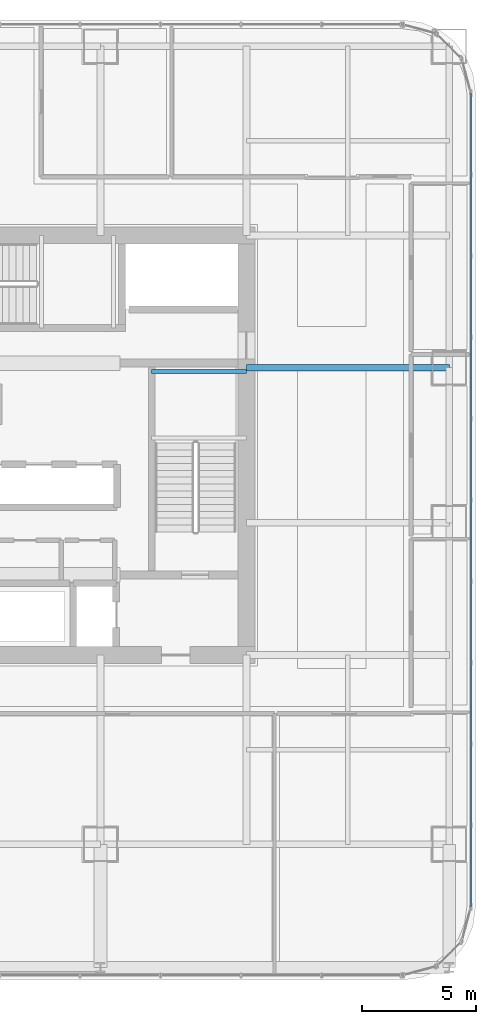
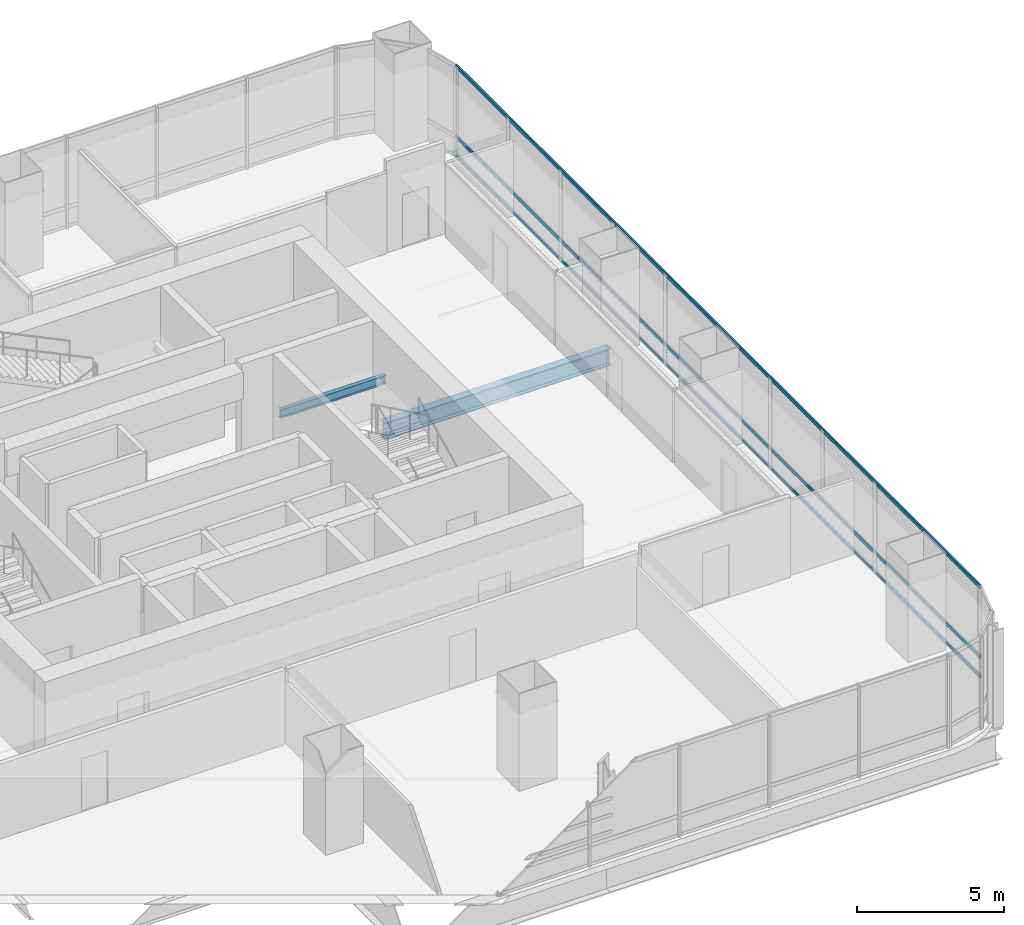
# One storey, part 16 of 36: 3 members, 2 beams, 1 element without a shape of its own.
"""IFC4 building model written with IfcOpenShell, lengths in metres."""

from ifc_helpers import new_model, si_unit, direction, frame, origin, origin_2d, place, context, subcontext, project, spatial, hollow_rectangle, i_section, extrude, material, material_profile, profile_set, type_object, element, aggregate, save


model = new_model("IFC4")

# Units and contexts
model_context = context("Model", 3, precision=1e-05, world=origin(), true_north=direction((0.0, 1.0)))
body_context = subcontext(model_context, "Body", "Model", "MODEL_VIEW")
ifc_project = project(units=[si_unit("LENGTHUNIT", "METRE"), si_unit("AREAUNIT", "SQUARE_METRE"), si_unit("VOLUMEUNIT", "CUBIC_METRE"), si_unit("PLANEANGLEUNIT", "RADIAN"), si_unit("MASSUNIT", "GRAM", prefix="KILO")], contexts=[model_context])

# Site, building, storey
site_placement = place(None, origin())
site = spatial("IfcSite", under=ifc_project, at=site_placement, CompositionType="ELEMENT")
building_placement = place(site_placement, origin())
building = spatial("IfcBuilding", under=site, at=building_placement, Name="Punatoya Terracotta Tower", CompositionType="ELEMENT")
storey_placement = place(building_placement, frame((0.0, 0.0, 32.25)))
storey = spatial("IfcBuildingStorey", under=building, at=storey_placement, Name="L06", CompositionType="ELEMENT", Elevation=32.25)

# Beams
ifc_material_1 = material(Name="Steel S355", Category="steel")
ifc_material_profile_1 = material_profile(ifc_material_1, i_section(OverallWidth=0.300048828125, OverallDepth=0.699951171875, WebThickness=0.01708984375, FlangeThickness=0.031982421875, FilletRadius=0.01806640625, at=origin_2d()))
ifc_profile_set_1 = profile_set([ifc_material_profile_1], Name="Steel S355")
beam_type_1 = type_object("IfcBeamType", Name="BM-PRI-700", PredefinedType="BEAM", material=ifc_profile_set_1)
beam_1_placement = place(storey_placement, frame((10.199951171875, 3.39990234375, -0.590087890625), z_axis=(1.0, 0.0, 0.0), x_axis=(0.0, 1.0, 0.0)))
element("IfcBeam", 1, at=beam_1_placement, inside=storey, type_object=beam_type_1, Name="BM-L06-PR-EE", PredefinedType="BEAM", context=body_context, shape_type="SweptSolid", body=[
    extrude(i_section(OverallWidth=0.300048828125, OverallDepth=0.699951171875, WebThickness=0.01708984375, FlangeThickness=0.031982421875, FilletRadius=0.01806640625, at=origin_2d()), origin(), (0.0, 0.0, 1.0), 8.900146484375),
])
ifc_material_profile_2 = material_profile(ifc_material_1, i_section(OverallWidth=0.169921875, OverallDepth=0.360107421875, WebThickness=0.008056640625, FlangeThickness=0.0126953125, FilletRadius=0.01806640625, at=origin_2d()))
ifc_profile_set_2 = profile_set([ifc_material_profile_2], Name="Steel S355")
beam_type_2 = type_object("IfcBeamType", Name="BM-SEC-360", PredefinedType="JOIST", material=ifc_profile_set_2)
beam_2_placement = place(storey_placement, frame((6.050048828125, 3.22998046875, 1.64501953125), z_axis=(1.0, 0.0, 0.0), x_axis=(0.0, 1.0, 0.0)))
element("IfcBeam", 2, at=beam_2_placement, inside=storey, type_object=beam_type_2, Name="BM-L06-ST-2-LD1B", PredefinedType="JOIST", context=body_context, shape_type="SweptSolid", body=[
    extrude(i_section(OverallWidth=0.169921875, OverallDepth=0.360107421875, WebThickness=0.008056640625, FlangeThickness=0.0126953125, FilletRadius=0.01806640625, at=origin_2d()), origin(), (0.0, 0.0, 1.0), 4.14990234375),
])

# Curtain wall, members
ifc_material_2 = material(Name="Aluminium 6063-T6 + Double Low-E Glass", Category="aluminium")
curtain_wall_type = type_object("IfcCurtainWallType", Name="CW-M1", PredefinedType="NOTDEFINED", material=ifc_material_2)
curtain_wall_placement = place(storey_placement, origin())
curtain_wall = element("IfcCurtainWall", 3, at=curtain_wall_placement, inside=storey, type_object=curtain_wall_type, Name="L06 Curtain Wall CW-L06-E05-1", PredefinedType="NOTDEFINED")
ifc_material_3 = material(Name="Aluminium 6063-T6", Category="aluminium")
ifc_material_profile_3 = material_profile(ifc_material_3, hollow_rectangle(XDim=0.068115234375, YDim=0.14990234375, WallThickness=0.00390625, at=origin_2d()))
ifc_profile_set_3 = profile_set([ifc_material_profile_3], Name="Aluminium 6063-T6")
member_type = type_object("IfcMemberType", Name="CW-TRN-TYP", PredefinedType="USERDEFINED", material=ifc_profile_set_3)
member_1_placement = place(storey_placement, frame((20.050048828125, -20.23681640625, 0.0400390625), z_axis=(0.0, 1.0, 0.0), x_axis=(-1.0, 0.0, 0.0)))
member_1 = element("IfcMember", 4, at=member_1_placement, type_object=member_type, Name="CW-L06-E05-1 Transom 1", ObjectType="TRANSOM", PredefinedType="USERDEFINED", context=body_context, shape_type="SweptSolid", body=[
    extrude(hollow_rectangle(XDim=0.068115234375, YDim=0.14990234375, WallThickness=0.00390625, at=origin_2d()), origin(), (0.0, 0.0, 1.0), 35.673828125),
])
member_2_placement = place(storey_placement, frame((20.050048828125, -20.23681640625, 0.85009765625), z_axis=(0.0, 1.0, 0.0), x_axis=(-1.0, 0.0, 0.0)))
member_2 = element("IfcMember", 5, at=member_2_placement, type_object=member_type, Name="CW-L06-E05-1 Transom 2", ObjectType="TRANSOM", PredefinedType="USERDEFINED", context=body_context, shape_type="SweptSolid", body=[
    extrude(hollow_rectangle(XDim=0.068115234375, YDim=0.14990234375, WallThickness=0.00390625, at=origin_2d()), origin(), (0.0, 0.0, 1.0), 35.673828125),
])
member_3_placement = place(storey_placement, frame((20.050048828125, -20.23681640625, 3.77001953125), z_axis=(0.0, 1.0, 0.0), x_axis=(-1.0, 0.0, 0.0)))
member_3 = element("IfcMember", 6, at=member_3_placement, type_object=member_type, Name="CW-L06-E05-1 Transom 3", ObjectType="TRANSOM", PredefinedType="USERDEFINED", context=body_context, shape_type="SweptSolid", body=[
    extrude(hollow_rectangle(XDim=0.068115234375, YDim=0.14990234375, WallThickness=0.00390625, at=origin_2d()), origin(), (0.0, 0.0, 1.0), 35.673828125),
])
aggregate(curtain_wall, [member_1, member_2, member_3])

save(model, "model.ifc")
